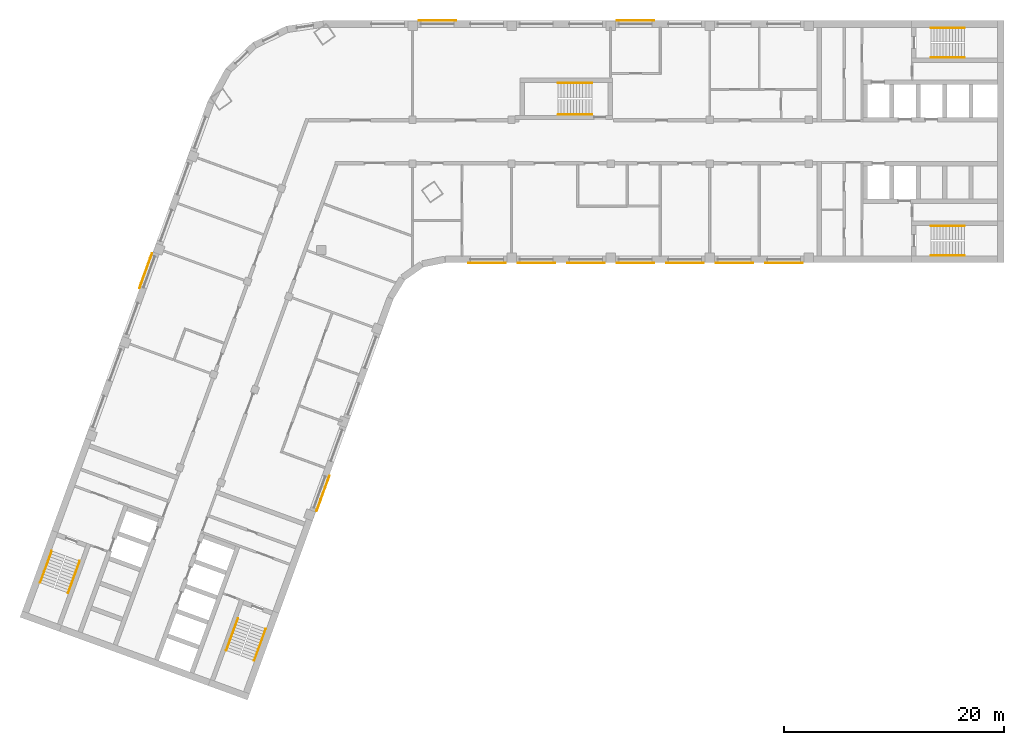
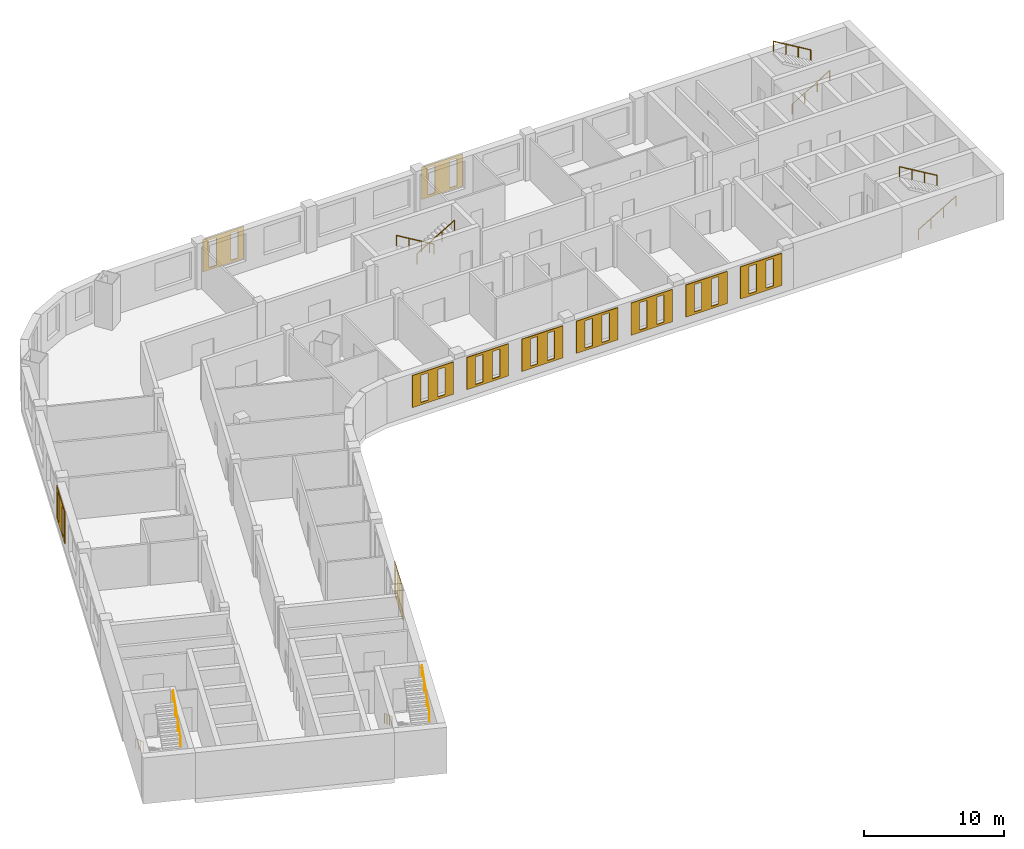
# One storey, part 8 of 8: 11 coverings, 10 railings.
"""IFC4 building model written with IfcOpenShell, lengths in metres."""

from ifc_helpers import new_model, si_unit, direction, frame, origin, origin_2d, place, context, subcontext, project, spatial, polyline, circle, outline, extrude, material, material_profile, profile_set, type_object, element, save


model = new_model("IFC4")

# Units and contexts
model_context = context("Model", 3, precision=1e-05, world=origin(), true_north=direction((0.0, 1.0)))
body_context = subcontext(model_context, "Body", "Model", "MODEL_VIEW")
ifc_project = project(units=[si_unit("LENGTHUNIT", "METRE"), si_unit("AREAUNIT", "SQUARE_METRE"), si_unit("VOLUMEUNIT", "CUBIC_METRE"), si_unit("PLANEANGLEUNIT", "RADIAN"), si_unit("MASSUNIT", "GRAM", prefix="KILO")], contexts=[model_context])

# Site, building, storey
site_placement = place(None, origin())
site = spatial("IfcSite", under=ifc_project, at=site_placement, CompositionType="ELEMENT")
building_placement = place(site_placement, origin())
building = spatial("IfcBuilding", under=site, at=building_placement, Name="Skarvind Civic Tower", CompositionType="ELEMENT")
storey_placement = place(building_placement, frame((0.0, 0.0, 125.0)))
storey = spatial("IfcBuildingStorey", under=building, at=storey_placement, Name="L29", CompositionType="ELEMENT", Elevation=125.0)

# Railings
ifc_material_1 = material(Name="Painted steel handrail", Category="steel")
railing_type = type_object("IfcRailingType", Name="Stair handrail 900", PredefinedType="HANDRAIL", material=ifc_material_1)
railing_1_placement = place(storey_placement, frame((101.35009765625, 135.64990234375, 0.166748046875)))
element("IfcRailing", 1, at=railing_1_placement, inside=storey, type_object=railing_type, Name="Stair handrail", PredefinedType="HANDRAIL", context=body_context, shape_type="SweptSolid", body=[
    extrude(circle(Radius=0.02392578125, at=origin_2d()), frame((0.0, 0.0, 0.8759765625), z_axis=(0.859290745958, 0.0, 0.51148745235), x_axis=(0.0, 1.0, 0.0)), (0.0, 0.0, 1.0), 3.584228515625),
    extrude(circle(Radius=0.02099609375, at=origin_2d()), origin(), (0.0, 0.0, 1.0), 0.851806640625),
    extrude(circle(Radius=0.02099609375, at=origin_2d()), frame((1.026611328125, 0.0, 0.611083984375)), (0.0, 0.0, 1.0), 0.851806640625),
    extrude(circle(Radius=0.02099609375, at=origin_2d()), frame((2.05322265625, 0.0, 1.22216796875)), (0.0, 0.0, 1.0), 0.851806640625),
    extrude(circle(Radius=0.02099609375, at=origin_2d()), frame((3.079833984375, 0.0, 1.833251953125)), (0.0, 0.0, 1.0), 0.851806640625),
])
railing_2_placement = place(storey_placement, frame((104.429931640625, 138.35009765625, 2.166748046875)))
element("IfcRailing", 2, at=railing_2_placement, inside=storey, type_object=railing_type, Name="Stair handrail", PredefinedType="HANDRAIL", context=body_context, shape_type="SweptSolid", body=[
    extrude(circle(Radius=0.02392578125, at=origin_2d()), frame((0.0, 0.0, 0.8759765625), z_axis=(-0.859290745958, 0.0, 0.51148745235), x_axis=(0.0, -1.0, 0.0)), (0.0, 0.0, 1.0), 3.584228515625),
    extrude(circle(Radius=0.02099609375, at=origin_2d()), origin(), (0.0, 0.0, 1.0), 0.851806640625),
    extrude(circle(Radius=0.02099609375, at=origin_2d()), frame((-1.026611328125, 0.0, 0.611083984375)), (0.0, 0.0, 1.0), 0.851806640625),
    extrude(circle(Radius=0.02099609375, at=origin_2d()), frame((-2.05322265625, 0.0, 1.22216796875)), (0.0, 0.0, 1.0), 0.851806640625),
    extrude(circle(Radius=0.02099609375, at=origin_2d()), frame((-3.079833984375, 0.0, 1.833251953125)), (0.0, 0.0, 1.0), 0.851806640625),
])
railing_3_placement = place(storey_placement, frame((101.35009765625, 117.64990234375, 0.166748046875)))
element("IfcRailing", 3, at=railing_3_placement, inside=storey, type_object=railing_type, Name="Stair handrail", PredefinedType="HANDRAIL", context=body_context, shape_type="SweptSolid", body=[
    extrude(circle(Radius=0.02392578125, at=origin_2d()), frame((0.0, 0.0, 0.8759765625), z_axis=(0.859290745958, 0.0, 0.51148745235), x_axis=(0.0, 1.0, 0.0)), (0.0, 0.0, 1.0), 3.584228515625),
    extrude(circle(Radius=0.02099609375, at=origin_2d()), origin(), (0.0, 0.0, 1.0), 0.851806640625),
    extrude(circle(Radius=0.02099609375, at=origin_2d()), frame((1.026611328125, 0.0, 0.611083984375)), (0.0, 0.0, 1.0), 0.851806640625),
    extrude(circle(Radius=0.02099609375, at=origin_2d()), frame((2.05322265625, 0.0, 1.22216796875)), (0.0, 0.0, 1.0), 0.851806640625),
    extrude(circle(Radius=0.02099609375, at=origin_2d()), frame((3.079833984375, 0.0, 1.833251953125)), (0.0, 0.0, 1.0), 0.851806640625),
])
railing_4_placement = place(storey_placement, frame((104.429931640625, 120.35009765625, 2.166748046875)))
element("IfcRailing", 4, at=railing_4_placement, inside=storey, type_object=railing_type, Name="Stair handrail", PredefinedType="HANDRAIL", context=body_context, shape_type="SweptSolid", body=[
    extrude(circle(Radius=0.02392578125, at=origin_2d()), frame((0.0, 0.0, 0.8759765625), z_axis=(-0.859290745958, 0.0, 0.51148745235), x_axis=(0.0, -1.0, 0.0)), (0.0, 0.0, 1.0), 3.584228515625),
    extrude(circle(Radius=0.02099609375, at=origin_2d()), origin(), (0.0, 0.0, 1.0), 0.851806640625),
    extrude(circle(Radius=0.02099609375, at=origin_2d()), frame((-1.026611328125, 0.0, 0.611083984375)), (0.0, 0.0, 1.0), 0.851806640625),
    extrude(circle(Radius=0.02099609375, at=origin_2d()), frame((-2.05322265625, 0.0, 1.22216796875)), (0.0, 0.0, 1.0), 0.851806640625),
    extrude(circle(Radius=0.02099609375, at=origin_2d()), frame((-3.079833984375, 0.0, 1.833251953125)), (0.0, 0.0, 1.0), 0.851806640625),
])
railing_5_placement = place(storey_placement, frame((38.362060546875, 84.64794921875, 0.166748046875)))
element("IfcRailing", 5, at=railing_5_placement, inside=storey, type_object=railing_type, Name="Stair handrail", PredefinedType="HANDRAIL", context=body_context, shape_type="SweptSolid", body=[
    extrude(circle(Radius=0.02392578125, at=origin_2d()), frame((0.0, 0.0, 0.8759765625), z_axis=(-0.293908055923, -0.807480881337, 0.511461319103), x_axis=(0.939689235759, -0.342029443467, 0.0)), (0.0, 0.0, 1.0), 3.584228515625),
    extrude(circle(Radius=0.02099609375, at=origin_2d()), origin(), (0.0, 0.0, 1.0), 0.851806640625),
    extrude(circle(Radius=0.02099609375, at=origin_2d()), frame((-0.35107421875, -0.96484375, 0.611083984375)), (0.0, 0.0, 1.0), 0.851806640625),
    extrude(circle(Radius=0.02099609375, at=origin_2d()), frame((-0.702392578125, -1.929443359375, 1.22216796875)), (0.0, 0.0, 1.0), 0.851806640625),
    extrude(circle(Radius=0.02099609375, at=origin_2d()), frame((-1.053466796875, -2.894287109375, 1.833251953125)), (0.0, 0.0, 1.0), 0.851806640625),
])
railing_6_placement = place(storey_placement, frame((39.845703125, 80.830078125, 2.166748046875)))
element("IfcRailing", 6, at=railing_6_placement, inside=storey, type_object=railing_type, Name="Stair handrail", PredefinedType="HANDRAIL", context=body_context, shape_type="SweptSolid", body=[
    extrude(circle(Radius=0.02392578125, at=origin_2d()), frame((0.0, 0.0, 0.8759765625), z_axis=(0.293908055923, 0.807480881337, 0.511461319103), x_axis=(-0.939689235759, 0.342029443467, 0.0)), (0.0, 0.0, 1.0), 3.584228515625),
    extrude(circle(Radius=0.02099609375, at=origin_2d()), origin(), (0.0, 0.0, 1.0), 0.851806640625),
    extrude(circle(Radius=0.02099609375, at=origin_2d()), frame((0.35107421875, 0.96484375, 0.611083984375)), (0.0, 0.0, 1.0), 0.851806640625),
    extrude(circle(Radius=0.02099609375, at=origin_2d()), frame((0.702392578125, 1.929443359375, 1.22216796875)), (0.0, 0.0, 1.0), 0.851806640625),
    extrude(circle(Radius=0.02099609375, at=origin_2d()), frame((1.053466796875, 2.894287109375, 1.833251953125)), (0.0, 0.0, 1.0), 0.851806640625),
])
railing_7_placement = place(storey_placement, frame((21.447509765625, 90.80419921875, 0.166748046875)))
element("IfcRailing", 7, at=railing_7_placement, inside=storey, type_object=railing_type, Name="Stair handrail", PredefinedType="HANDRAIL", context=body_context, shape_type="SweptSolid", body=[
    extrude(circle(Radius=0.02392578125, at=origin_2d()), frame((0.0, 0.0, 0.8759765625), z_axis=(-0.293845824691, -0.807497044902, 0.511471557163), x_axis=(0.939714709796, -0.34195944817, 0.0)), (0.0, 0.0, 1.0), 3.584228515625),
    extrude(circle(Radius=0.02099609375, at=origin_2d()), origin(), (0.0, 0.0, 1.0), 0.851806640625),
    extrude(circle(Radius=0.02099609375, at=origin_2d()), frame((-0.35107421875, -0.96484375, 0.611083984375)), (0.0, 0.0, 1.0), 0.851806640625),
    extrude(circle(Radius=0.02099609375, at=origin_2d()), frame((-0.7021484375, -1.929443359375, 1.22216796875)), (0.0, 0.0, 1.0), 0.851806640625),
    extrude(circle(Radius=0.02099609375, at=origin_2d()), frame((-1.05322265625, -2.894287109375, 1.833251953125)), (0.0, 0.0, 1.0), 0.851806640625),
])
railing_8_placement = place(storey_placement, frame((22.931396484375, 86.986572265625, 2.166748046875)))
element("IfcRailing", 8, at=railing_8_placement, inside=storey, type_object=railing_type, Name="Stair handrail", PredefinedType="HANDRAIL", context=body_context, shape_type="SweptSolid", body=[
    extrude(circle(Radius=0.02392578125, at=origin_2d()), frame((0.0, 0.0, 0.8759765625), z_axis=(0.293908055923, 0.807480881337, 0.511461319103), x_axis=(-0.939689235759, 0.342029443467, 0.0)), (0.0, 0.0, 1.0), 3.584228515625),
    extrude(circle(Radius=0.02099609375, at=origin_2d()), origin(), (0.0, 0.0, 1.0), 0.851806640625),
    extrude(circle(Radius=0.02099609375, at=origin_2d()), frame((0.35107421875, 0.96484375, 0.611083984375)), (0.0, 0.0, 1.0), 0.851806640625),
    extrude(circle(Radius=0.02099609375, at=origin_2d()), frame((0.702392578125, 1.929443359375, 1.22216796875)), (0.0, 0.0, 1.0), 0.851806640625),
    extrude(circle(Radius=0.02099609375, at=origin_2d()), frame((1.053466796875, 2.894287109375, 1.833251953125)), (0.0, 0.0, 1.0), 0.851806640625),
])
railing_9_placement = place(storey_placement, frame((70.550048828125, 133.35009765625, 0.166748046875)))
element("IfcRailing", 9, at=railing_9_placement, inside=storey, type_object=railing_type, Name="Stair handrail", PredefinedType="HANDRAIL", context=body_context, shape_type="SweptSolid", body=[
    extrude(circle(Radius=0.02392578125, at=origin_2d()), frame((0.0, 0.0, 0.8759765625), z_axis=(-0.859308565015, 0.0, 0.511457515432), x_axis=(0.0, -1.0, 0.0)), (0.0, 0.0, 1.0), 3.58447265625),
    extrude(circle(Radius=0.02099609375, at=origin_2d()), origin(), (0.0, 0.0, 1.0), 0.851806640625),
    extrude(circle(Radius=0.02099609375, at=origin_2d()), frame((-1.026611328125, 0.0, 0.611083984375)), (0.0, 0.0, 1.0), 0.851806640625),
    extrude(circle(Radius=0.02099609375, at=origin_2d()), frame((-2.053466796875, 0.0, 1.22216796875)), (0.0, 0.0, 1.0), 0.851806640625),
    extrude(circle(Radius=0.02099609375, at=origin_2d()), frame((-3.080078125, 0.0, 1.833251953125)), (0.0, 0.0, 1.0), 0.851806640625),
])
railing_10_placement = place(storey_placement, frame((67.469970703125, 130.449951171875, 2.166748046875)))
element("IfcRailing", 10, at=railing_10_placement, inside=storey, type_object=railing_type, Name="Stair handrail", PredefinedType="HANDRAIL", context=body_context, shape_type="SweptSolid", body=[
    extrude(circle(Radius=0.02392578125, at=origin_2d()), frame((0.0, 0.0, 0.8759765625), z_axis=(0.859308565015, 0.0, 0.511457515432), x_axis=(0.0, 1.0, 0.0)), (0.0, 0.0, 1.0), 3.58447265625),
    extrude(circle(Radius=0.02099609375, at=origin_2d()), origin(), (0.0, 0.0, 1.0), 0.851806640625),
    extrude(circle(Radius=0.02099609375, at=origin_2d()), frame((1.026611328125, 0.0, 0.611083984375)), (0.0, 0.0, 1.0), 0.851806640625),
    extrude(circle(Radius=0.02099609375, at=origin_2d()), frame((2.053466796875, 0.0, 1.22216796875)), (0.0, 0.0, 1.0), 0.851806640625),
    extrude(circle(Radius=0.02099609375, at=origin_2d()), frame((3.080078125, 0.0, 1.833251953125)), (0.0, 0.0, 1.0), 0.851806640625),
])

# Coverings
ifc_material_2 = material(Name="Terracotta", Category="masonry")
ifc_material_profile_1 = material_profile(ifc_material_2, outline(polyline([(-1.699951171875, -1.39990234375), (1.699951171875, -1.39990234375), (1.699951171875, 1.39990234375), (-1.699951171875, 1.39990234375), (-1.699951171875, -1.39990234375)]), holes=[polyline([(-1.0, -1.18994140625), (-0.39990234375, -1.18994140625), (-0.39990234375, 1.18994140625), (-1.0, 1.18994140625), (-1.0, -1.18994140625)]), polyline([(0.39990234375, -1.18994140625), (1.0, -1.18994140625), (1.0, 1.18994140625), (0.39990234375, 1.18994140625), (0.39990234375, -1.18994140625)])]), Name="TERRACOTTA SCREEN 3400 x 2800, SLIT PITCH 1400")
ifc_profile_set_1 = profile_set([ifc_material_profile_1], Name="Terracotta")
covering_type_1 = type_object("IfcCoveringType", Name="TERRACOTTA SCREEN 3400 x 2800, SLIT PITCH 1400", PredefinedType="CLADDING", material=ifc_profile_set_1)
for number, where, z_axis, x_axis, name in (
    (11, (88.0, 117.0, 2.10009765625), (0.0, -1.0, 0.0), (1.0, 0.0, 0.0), "TERRACOTTA SCREEN"),
    (12, (83.5, 117.0, 2.10009765625), (0.0, -1.0, 0.0), (1.0, 0.0, 0.0), "TERRACOTTA SCREEN"),
    (13, (79.0, 117.0, 2.10009765625), (0.0, -1.0, 0.0), (1.0, 0.0, 0.0), "TERRACOTTA SCREEN"),
    (14, (74.5, 117.0, 2.10009765625), (0.0, -1.0, 0.0), (1.0, 0.0, 0.0), "TERRACOTTA SCREEN"),
    (15, (70.0, 117.0, 2.10009765625), (0.0, -1.0, 0.0), (1.0, 0.0, 0.0), "TERRACOTTA SCREEN"),
    (16, (65.5, 117.0, 2.10009765625), (0.0, -1.0, 0.0), (1.0, 0.0, 0.0), "TERRACOTTA SCREEN"),
    (17, (61.0, 117.0, 2.10009765625), (0.0, -1.0, 0.0), (1.0, 0.0, 0.0), "TERRACOTTA SCREEN"),
):
    element("IfcCovering", number, at=place(storey_placement, frame(where, z_axis=z_axis, x_axis=x_axis)), inside=storey, type_object=covering_type_1, Name=name, PredefinedType="CLADDING", context=body_context, shape_type="SweptSolid", body=[
        extrude(outline(polyline([(-1.699951171875, -1.39990234375), (1.699951171875, -1.39990234375), (1.699951171875, 1.39990234375), (-1.699951171875, 1.39990234375), (-1.699951171875, -1.39990234375)]), holes=[polyline([(-1.0, -1.18994140625), (-0.39990234375, -1.18994140625), (-0.39990234375, 1.18994140625), (-1.0, 1.18994140625), (-1.0, -1.18994140625)]), polyline([(0.39990234375, -1.18994140625), (1.0, -1.18994140625), (1.0, 1.18994140625), (0.39990234375, 1.18994140625), (0.39990234375, -1.18994140625)])]), origin(), (0.0, 0.0, 1.0), 0.06005859375),
    ])
ifc_material_profile_2 = material_profile(ifc_material_2, outline(polyline([(-1.699951171875, -1.39990234375), (1.699951171875, -1.39990234375), (1.699951171875, 1.39990234375), (-1.699951171875, 1.39990234375), (-1.699951171875, -1.39990234375)]), holes=[polyline([(-1.199951171875, -1.18994140625), (-0.60009765625, -1.18994140625), (-0.60009765625, 1.18994140625), (-1.199951171875, 1.18994140625), (-1.199951171875, -1.18994140625)]), polyline([(0.60009765625, -1.18994140625), (1.199951171875, -1.18994140625), (1.199951171875, 1.18994140625), (0.60009765625, 1.18994140625), (0.60009765625, -1.18994140625)])]), Name="TERRACOTTA SCREEN 3400 x 2800, SLIT PITCH 1800")
ifc_profile_set_2 = profile_set([ifc_material_profile_2], Name="Terracotta")
covering_type_2 = type_object("IfcCoveringType", Name="TERRACOTTA SCREEN 3400 x 2800, SLIT PITCH 1800", PredefinedType="CLADDING", material=ifc_profile_set_2)
for number, where, z_axis, x_axis, name in (
    (18, (46.075927734375, 96.047119140625, 2.10009765625), (0.939793423488, -0.341743063087, 0.0), (0.341743063087, 0.939793423488, 0.0), "TERRACOTTA SCREEN"),
    (19, (56.5, 139.0, 2.10009765625), (0.0, 1.0, 0.0), (-1.0, 0.0, 0.0), "TERRACOTTA SCREEN"),
    (20, (74.5, 139.0, 2.10009765625), (0.0, 1.0, 0.0), (-1.0, 0.0, 0.0), "TERRACOTTA SCREEN"),
    (21, (30.02001953125, 116.25732421875, 2.10009765625), (-0.939793423488, 0.341743063087, 0.0), (-0.341743063087, -0.939793423488, 0.0), "TERRACOTTA SCREEN"),
):
    element("IfcCovering", number, at=place(storey_placement, frame(where, z_axis=z_axis, x_axis=x_axis)), inside=storey, type_object=covering_type_2, Name=name, PredefinedType="CLADDING", context=body_context, shape_type="SweptSolid", body=[
        extrude(outline(polyline([(-1.699951171875, -1.39990234375), (1.699951171875, -1.39990234375), (1.699951171875, 1.39990234375), (-1.699951171875, 1.39990234375), (-1.699951171875, -1.39990234375)]), holes=[polyline([(-1.199951171875, -1.18994140625), (-0.60009765625, -1.18994140625), (-0.60009765625, 1.18994140625), (-1.199951171875, 1.18994140625), (-1.199951171875, -1.18994140625)]), polyline([(0.60009765625, -1.18994140625), (1.199951171875, -1.18994140625), (1.199951171875, 1.18994140625), (0.60009765625, 1.18994140625), (0.60009765625, -1.18994140625)])]), origin(), (0.0, 0.0, 1.0), 0.06005859375),
    ])

save(model, "model.ifc")
